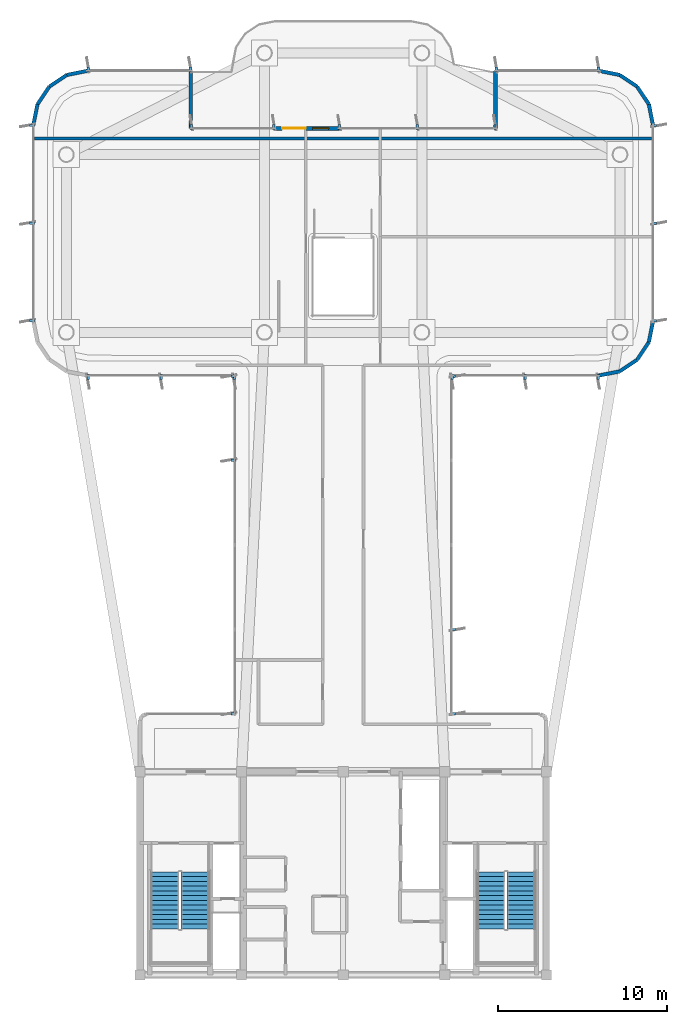
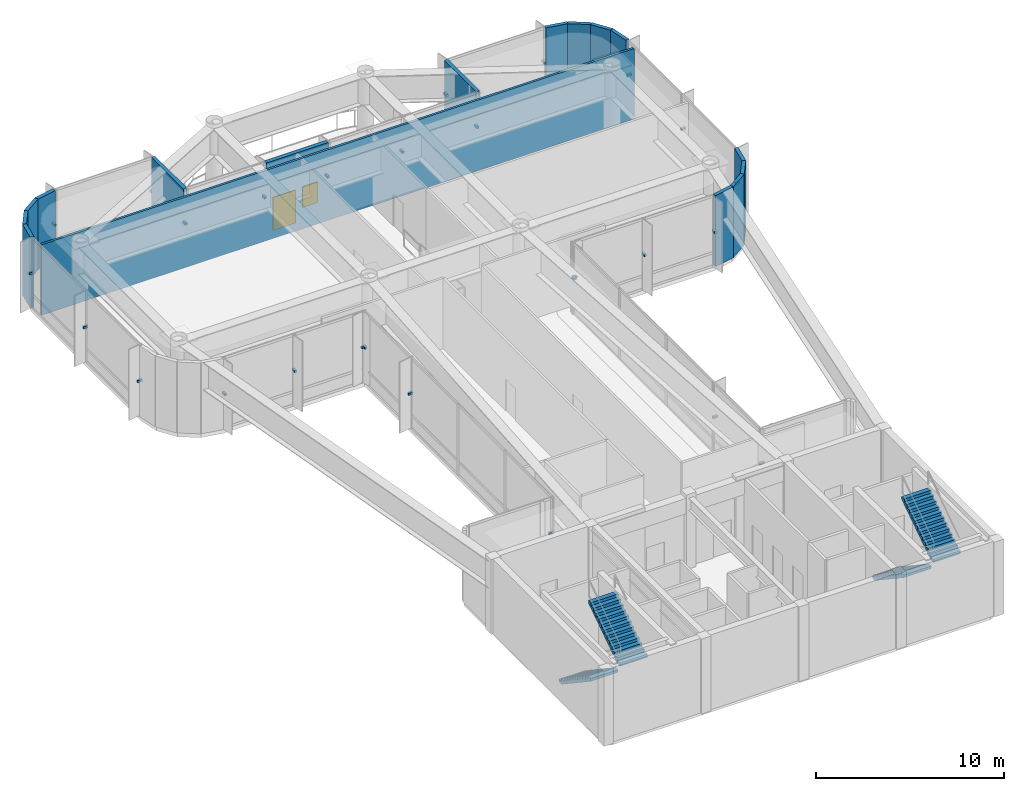
# One storey, part 11 of 13: 27 discrete accessories, 16 walls, 4 stair flights, 1 door, 1 window, 2 openings, 2 elements without a shape of their own.
"""IFC4 building model written with IfcOpenShell, lengths in metres."""

from ifc_helpers import new_model, si_unit, direction, frame, frame_2d, origin, origin_2d, place, context, subcontext, project, spatial, polyline, rectangle, outline, extrude, source, transform, mapped, material, layer, layer_set, type_object, element, fill, aggregate, save


model = new_model("IFC4")

# Units and contexts
model_context = context("Model", 3, precision=1e-05, world=origin(), true_north=direction((0.0, 1.0)))
body_context = subcontext(model_context, "Body", "Model", "MODEL_VIEW")
ifc_project = project(units=[si_unit("LENGTHUNIT", "METRE"), si_unit("AREAUNIT", "SQUARE_METRE"), si_unit("VOLUMEUNIT", "CUBIC_METRE"), si_unit("PLANEANGLEUNIT", "RADIAN"), si_unit("MASSUNIT", "GRAM", prefix="KILO")], contexts=[model_context])

# Site, building, storey
site_placement = place(None, origin())
site = spatial("IfcSite", under=ifc_project, at=site_placement, CompositionType="ELEMENT")
building_placement = place(site_placement, origin())
building = spatial("IfcBuilding", under=site, at=building_placement, Name="Brelvock Crest Care Tower", CompositionType="ELEMENT")
storey_placement = place(building_placement, frame((0.0, 0.0, 291.06005859375)))
storey = spatial("IfcBuildingStorey", under=building, at=storey_placement, Name="L74", CompositionType="ELEMENT", Elevation=291.06005859375)

# Wall, openings, door, window
ifc_material_1 = material(Name="Precast concrete N40 (40 MPa)", Category="concrete")
ifc_layer_1 = layer(ifc_material_1, 0.239990234375, Name="WL-EX1")
ifc_layer_set_1 = layer_set([ifc_layer_1], Name="Precast concrete N40 (40 MPa)")
wall_type_1 = type_object("IfcWallType", Name="WL-EX1", PredefinedType="SOLIDWALL", material=ifc_layer_set_1)
wall_1_placement = place(storey_placement, frame((31.93994140625, 56.0, 0.0), z_axis=(0.0, 0.0, 1.0), x_axis=(1.0, 0.0, 0.0)))
wall_1 = element("IfcWall", 1, at=wall_1_placement, inside=storey, type_object=wall_type_1, Name="L74 Exterior Spandrel Wall WL-TER-L74-37", PredefinedType="SOLIDWALL", context=body_context, shape_type="SweptSolid", body=[
    extrude(rectangle(XDim=3.800048828125, YDim=0.239990234375, at=frame_2d((1.89990234375, 0.0))), origin(), (0.0, 0.0, 1.0), 4.60986328125),
])
opening_1_placement = place(wall_1_placement, frame((0.449951171875, 0.0, 0.0)))
opening_1 = element("IfcOpeningElement", 2, at=opening_1_placement, cuts=wall_1, Name="Opening TD-1", PredefinedType="OPENING", context=body_context, shape_type="SweptSolid", body=[
    extrude(rectangle(XDim=1.39990234375, YDim=2.14990234375, at=origin_2d()), frame((0.699951171875, 0.1298828125, 1.074951171875), z_axis=(0.0, -1.0, 0.0), x_axis=(1.0, 0.0, 0.0)), (0.0, 0.0, 1.0), 0.260009765625),
])
opening_2_placement = place(wall_1_placement, frame((2.25, 0.0, 0.85009765625)))
opening_2 = element("IfcOpeningElement", 3, at=opening_2_placement, cuts=wall_1, Name="Opening W-03", PredefinedType="OPENING", context=body_context, shape_type="SweptSolid", body=[
    extrude(rectangle(XDim=0.949951171875, YDim=1.35009765625, at=origin_2d()), frame((0.47509765625, 0.1298828125, 0.675048828125), z_axis=(0.0, -1.0, 0.0), x_axis=(1.0, 0.0, 0.0)), (0.0, 0.0, 1.0), 0.260009765625),
])
ifc_material_2 = material(Name="Dark Glass Double Glazed Low-E", Category="glass")
door_type = type_object("IfcDoorType", Name="DR-TER1", OperationType="NOTDEFINED", PredefinedType="DOOR", material=ifc_material_2)
shared_shape_1 = source(origin(), body_context, "Body", "SweptSolid", [
    extrude(rectangle(XDim=1.39990234375, YDim=2.14990234375, at=origin_2d()), frame((0.699951171875, 0.02490234375, 1.074951171875), z_axis=(0.0, -1.0, 0.0), x_axis=(1.0, 0.0, 0.0)), (0.0, 0.0, 1.0), 0.050048828125),
])
door_placement = place(opening_1_placement, origin())
door = element("IfcDoor", 4, at=door_placement, inside=storey, type_object=door_type, Name="L74 Setback Terrace Glazed Door", OperationType="SINGLE_SWING_RIGHT", OverallHeight=2.14990234375, OverallWidth=1.39990234375, PredefinedType="DOOR", context=body_context, shape_type="MappedRepresentation", body=[
    mapped(shared_shape_1, transform((0.0, 0.0, 0.0), x_axis=(1.0, 0.0, 0.0), y_axis=(0.0, 1.0, 0.0), z_axis=(0.0, 0.0, 1.0), scale=1.0)),
])
fill(opening_1, door)
window_type = type_object("IfcWindowType", Name="WN-EX3", PartitioningType="SINGLE_PANEL", PredefinedType="WINDOW", material=ifc_material_2)
shared_shape_2 = source(origin(), body_context, "Body", "SweptSolid", [
    extrude(rectangle(XDim=0.949951171875, YDim=1.35009765625, at=origin_2d()), frame((0.47509765625, 0.030029296875, 0.675048828125), z_axis=(0.0, -1.0, 0.0), x_axis=(1.0, 0.0, 0.0)), (0.0, 0.0, 1.0), 0.06005859375),
])
window_placement = place(opening_2_placement, origin())
window = element("IfcWindow", 5, at=window_placement, inside=storey, type_object=window_type, Name="L74 Terrace Side Window", OverallHeight=1.35009765625, OverallWidth=0.949951171875, PartitioningType="SINGLE_PANEL", PredefinedType="WINDOW", context=body_context, shape_type="MappedRepresentation", body=[
    mapped(shared_shape_2, transform((0.0, 0.0, 0.0), x_axis=(1.0, 0.0, 0.0), y_axis=(0.0, 1.0, 0.0), z_axis=(0.0, 0.0, 1.0), scale=1.0)),
])
fill(opening_2, window)

# Walls
ifc_layer_2 = layer(ifc_material_1, 0.215087890625, Name="WL-EX2")
ifc_layer_set_2 = layer_set([ifc_layer_2], Name="Precast concrete N40 (40 MPa)")
wall_type_2 = type_object("IfcWallType", Name="WL-EX2", PredefinedType="SOLIDWALL", material=ifc_layer_set_2)
for number, where, z_axis, x_axis, name in (
    (6, (51.10009765625, 59.39990234375, 0.0), (0.0, 0.0, 1.0), (0.980813122964, -0.194950295773, 0.0), "L74 Rounded Corner Wall 00"),
    (7, (52.32470703125, 59.156494140625, 0.0), (0.0, 0.0, 1.0), (0.831387912822, -0.555692485475, 0.0), "L74 Rounded Corner Wall 01"),
    (8, (53.36279296875, 58.462646484375, 0.0), (0.0, 0.0, 1.0), (0.555557312883, -0.831478245117, 0.0), "L74 Rounded Corner Wall 02"),
    (9, (54.056396484375, 57.424560546875, 0.0), (0.0, 0.0, 1.0), (0.195138390419, -0.980775717779, 0.0), "L74 Rounded Corner Wall 03"),
    (10, (54.300048828125, 44.60009765625, 0.0), (0.0, 0.0, 1.0), (-0.195138390419, -0.980775717779, 0.0), "L74 Rounded Corner Wall 05"),
    (11, (54.056396484375, 43.37548828125, 0.0), (0.0, 0.0, 1.0), (-0.555557312883, -0.831478245117, 0.0), "L74 Rounded Corner Wall 06"),
    (12, (53.36279296875, 42.33740234375, 0.0), (0.0, 0.0, 1.0), (-0.831387912822, -0.555692485475, 0.0), "L74 Rounded Corner Wall 07"),
    (13, (52.32470703125, 41.6435546875, 0.0), (0.0, 0.0, 1.0), (-0.980775717779, -0.195138390419, 0.0), "L74 Rounded Corner Wall 08"),
    (14, (17.699951171875, 56.199951171875, 0.0), (0.0, 0.0, 1.0), (0.195138390419, 0.980775717779, 0.0), "L74 Rounded Corner Wall 31"),
    (15, (17.943603515625, 57.424560546875, 0.0), (0.0, 0.0, 1.0), (0.555557312883, 0.831478245117, 0.0), "L74 Rounded Corner Wall 32"),
    (16, (18.63720703125, 58.462646484375, 0.0), (0.0, 0.0, 1.0), (0.831387912822, 0.555692485475, 0.0), "L74 Rounded Corner Wall 33"),
    (17, (19.67529296875, 59.156494140625, 0.0), (0.0, 0.0, 1.0), (0.980813122964, 0.194950295773, 0.0), "L74 Rounded Corner Wall 34"),
):
    element("IfcWall", number, at=place(storey_placement, frame(where, z_axis=z_axis, x_axis=x_axis)), inside=storey, type_object=wall_type_2, Name=name, PredefinedType="SOLIDWALL", context=body_context, shape_type="SweptSolid", body=[
        extrude(rectangle(XDim=1.24853515625, YDim=0.215087890625, at=frame_2d((0.624267578125, 0.0))), origin(), (0.0, 0.0, 1.0), 4.60986328125),
    ])
for number, where, z_axis, x_axis, name in (
    (18, (27.0, 59.39990234375, 0.0), (0.0, 0.0, 1.0), (0.0, -1.0, 0.0), "L74 Rounded Corner Wall 36"),
    (19, (45.0, 56.0, 0.0), (0.0, 0.0, 1.0), (0.0, 1.0, 0.0), "L74 Rounded Corner Wall 38"),
):
    element("IfcWall", number, at=place(storey_placement, frame(where, z_axis=z_axis, x_axis=x_axis)), inside=storey, type_object=wall_type_2, Name=name, PredefinedType="SOLIDWALL", context=body_context, shape_type="SweptSolid", body=[
        extrude(rectangle(XDim=3.39990234375, YDim=0.215087890625, at=frame_2d((1.699951171875, 0.0))), origin(), (0.0, 0.0, 1.0), 4.60986328125),
    ])
ifc_material_3 = material(Name="Masonry Blockwork Acoustic Partition", Category="masonry")
ifc_layer_3 = layer(ifc_material_3, 0.14990234375, Name="WL-INT1")
ifc_layer_set_3 = layer_set([ifc_layer_3], Name="Masonry Blockwork Acoustic Partition")
wall_type_3 = type_object("IfcWallType", Name="WL-INT1", PredefinedType="PARTITIONING", material=ifc_layer_set_3)
wall_2_placement = place(storey_placement, frame((17.780029296875, 55.39990234375, 0.0), z_axis=(0.0, 0.0, 1.0), x_axis=(1.0, 0.0, 0.0)))
element("IfcWall", 20, at=wall_2_placement, inside=storey, type_object=wall_type_3, Name="L74 Interior Wall WL-BX-L74-OBW-N", PredefinedType="PARTITIONING", context=body_context, shape_type="SweptSolid", body=[
    extrude(rectangle(XDim=36.43994140625, YDim=0.14990234375, at=frame_2d((18.219970703125, 0.0))), origin(), (0.0, 0.0, 1.0), 4.579833984375),
])

# Stair, stair flights
ifc_material_4 = material(Name="Concrete N40 (40 MPa)", Category="concrete")
stair_type = type_object("IfcStairType", Name="ST-CORE1", PredefinedType="HALF_TURN_STAIR", material=ifc_material_4)
stair_1_placement = place(storey_placement, origin())
stair_1 = element("IfcStair", 21, at=stair_1_placement, inside=storey, type_object=stair_type, Name="L74 Fire-Isolated Core Stair ST-1", PredefinedType="HALF_TURN_STAIR")
stair_flight_type = type_object("IfcStairFlightType", Name="STF-1", PredefinedType="STRAIGHT", material=ifc_material_4)
stair_flight_1_placement = place(storey_placement, frame((25.469970703125, 12.080078125, 0.0), z_axis=(0.0, 0.0, 1.0), x_axis=(0.0, -1.0, 0.0)))
stair_flight_1 = element("IfcStairFlight", 22, at=stair_flight_1_placement, type_object=stair_flight_type, Name="ST-1 flight 1", NumberOfRisers=13, NumberOfTreads=12, PredefinedType="STRAIGHT", RiserHeight=0.186923077, TreadLength=0.28, context=body_context, shape_type="SweptSolid", body=[
    extrude(outline(polyline([(-0.00390625, -0.014892578125), (-0.00390625, -0.0078125), (-0.00390625, -0.00048828125), (-0.00390625, 0.006591796875), (-0.00390625, 0.013916015625), (-0.00390625, 0.02099609375), (-0.00390625, 0.0283203125), (-0.00390625, 0.035400390625), (-0.00390625, 0.042724609375), (-0.00390625, 0.0498046875), (-0.00390625, 0.05712890625), (-0.00390625, 0.064208984375), (-0.00390625, 0.071533203125), (-0.00390625, 0.078857421875), (-0.00390625, 0.0859375), (-0.00390625, 0.09326171875), (-0.00390625, 0.100341796875), (-0.00390625, 0.107666015625), (-0.00390625, 0.11474609375), (-0.00390625, 0.1220703125), (-0.00390625, 0.129150390625), (-0.00390625, 0.136474609375), (-0.00390625, 0.1435546875), (-0.00390625, 0.15087890625), (-0.00390625, 0.157958984375), (-0.00390625, 0.165283203125), (-0.00390625, 0.172607421875), (-0.00390625, 0.1796875), (-0.00390625, 0.18701171875), (0.0, 0.18701171875), (0.280029296875, 0.18701171875), (0.280029296875, 0.373779296875), (0.56005859375, 0.373779296875), (0.56005859375, 0.560791015625), (0.840087890625, 0.560791015625), (0.840087890625, 0.747802734375), (1.1201171875, 0.747802734375), (1.1201171875, 0.9345703125), (1.39990234375, 0.9345703125), (1.39990234375, 1.12158203125), (1.679931640625, 1.12158203125), (1.679931640625, 1.308349609375), (1.9599609375, 1.308349609375), (1.9599609375, 1.495361328125), (2.239990234375, 1.495361328125), (2.239990234375, 1.682373046875), (2.52001953125, 1.682373046875), (2.52001953125, 1.869140625), (2.800048828125, 1.869140625), (2.800048828125, 2.05615234375), (3.080078125, 2.05615234375), (3.080078125, 2.2431640625), (3.360107421875, 2.2431640625), (3.364013671875, 2.2431640625), (3.36376953125, 2.24267578125), (3.364013671875, 2.2421875), (3.36376953125, 2.241943359375), (3.364013671875, 2.241455078125), (3.36376953125, 2.2412109375), (3.364013671875, 2.24072265625), (3.36376953125, 2.240234375), (3.364013671875, 2.239990234375), (3.36376953125, 2.239501953125), (3.364013671875, 2.239013671875), (3.36376953125, 2.23876953125), (3.364013671875, 2.23828125), (3.36376953125, 2.238037109375), (3.364013671875, 2.237548828125), (3.36376953125, 2.237060546875), (3.364013671875, 2.23681640625), (3.36376953125, 2.236328125), (3.364013671875, 2.23583984375), (3.36376953125, 2.235595703125), (3.364013671875, 2.235107421875), (3.36376953125, 2.23486328125), (3.364013671875, 2.234375), (3.36376953125, 2.23388671875), (3.364013671875, 2.233642578125), (3.36376953125, 2.233154296875), (3.364013671875, 2.23291015625), (3.36376953125, 2.232421875), (3.364013671875, 2.23193359375), (3.360107421875, 2.062744140625), (0.27001953125, 0.0), (0.0, 0.0), (0.0, -0.014892578125), (-0.00390625, -0.014892578125)])), frame((0.0, 0.83984375, 0.0), z_axis=(0.0, -1.0, 0.0), x_axis=(1.0, 0.0, 0.0)), (0.0, 0.0, 1.0), 1.679931640625),
])
stair_flight_2_placement = place(storey_placement, frame((27.27001953125, 8.719970703125, 2.429931640625), z_axis=(0.0, 0.0, 1.0), x_axis=(0.0, 1.0, 0.0)))
stair_flight_2 = element("IfcStairFlight", 23, at=stair_flight_2_placement, type_object=stair_flight_type, Name="ST-1 flight 2", NumberOfRisers=13, NumberOfTreads=12, PredefinedType="STRAIGHT", RiserHeight=0.186923077, TreadLength=0.28, context=body_context, shape_type="SweptSolid", body=[
    extrude(outline(polyline([(-0.00390625, -0.014892578125), (-0.00390625, -0.0078125), (-0.00390625, -0.00048828125), (-0.00390625, 0.006591796875), (-0.00390625, 0.013916015625), (-0.00390625, 0.02099609375), (-0.00390625, 0.0283203125), (-0.00390625, 0.035400390625), (-0.00390625, 0.042724609375), (-0.00390625, 0.0498046875), (-0.00390625, 0.05712890625), (-0.00390625, 0.064208984375), (-0.00390625, 0.071533203125), (-0.00390625, 0.078857421875), (-0.00390625, 0.0859375), (-0.00390625, 0.09326171875), (-0.00390625, 0.100341796875), (-0.00390625, 0.107666015625), (-0.00390625, 0.11474609375), (-0.00390625, 0.1220703125), (-0.00390625, 0.129150390625), (-0.00390625, 0.136474609375), (-0.00390625, 0.1435546875), (-0.00390625, 0.15087890625), (-0.00390625, 0.157958984375), (-0.00390625, 0.165283203125), (-0.00390625, 0.172607421875), (-0.00390625, 0.1796875), (-0.00390625, 0.18701171875), (0.0, 0.18701171875), (0.280029296875, 0.18701171875), (0.280029296875, 0.373779296875), (0.56005859375, 0.373779296875), (0.56005859375, 0.560791015625), (0.840087890625, 0.560791015625), (0.840087890625, 0.747802734375), (1.1201171875, 0.747802734375), (1.1201171875, 0.9345703125), (1.39990234375, 0.9345703125), (1.39990234375, 1.12158203125), (1.679931640625, 1.12158203125), (1.679931640625, 1.308349609375), (1.9599609375, 1.308349609375), (1.9599609375, 1.495361328125), (2.239990234375, 1.495361328125), (2.239990234375, 1.682373046875), (2.52001953125, 1.682373046875), (2.52001953125, 1.869140625), (2.800048828125, 1.869140625), (2.800048828125, 2.05615234375), (3.080078125, 2.05615234375), (3.080078125, 2.2431640625), (3.360107421875, 2.2431640625), (3.364013671875, 2.2431640625), (3.36376953125, 2.24267578125), (3.364013671875, 2.2421875), (3.36376953125, 2.241943359375), (3.364013671875, 2.241455078125), (3.36376953125, 2.2412109375), (3.364013671875, 2.24072265625), (3.36376953125, 2.240234375), (3.364013671875, 2.239990234375), (3.36376953125, 2.239501953125), (3.364013671875, 2.239013671875), (3.36376953125, 2.23876953125), (3.364013671875, 2.23828125), (3.36376953125, 2.238037109375), (3.364013671875, 2.237548828125), (3.36376953125, 2.237060546875), (3.364013671875, 2.23681640625), (3.36376953125, 2.236328125), (3.364013671875, 2.23583984375), (3.36376953125, 2.235595703125), (3.364013671875, 2.235107421875), (3.36376953125, 2.23486328125), (3.364013671875, 2.234375), (3.36376953125, 2.23388671875), (3.364013671875, 2.233642578125), (3.36376953125, 2.233154296875), (3.364013671875, 2.23291015625), (3.36376953125, 2.232421875), (3.364013671875, 2.23193359375), (3.360107421875, 2.062744140625), (0.27001953125, 0.0), (0.0, 0.0), (0.0, -0.014892578125), (-0.00390625, -0.014892578125)])), frame((0.0, 0.83984375, 0.0), z_axis=(0.0, -1.0, 0.0), x_axis=(1.0, 0.0, 0.0)), (0.0, 0.0, 1.0), 1.679931640625),
])
aggregate(stair_1, [stair_flight_1, stair_flight_2])

stair_2_placement = place(storey_placement, origin())
stair_2 = element("IfcStair", 24, at=stair_2_placement, inside=storey, type_object=stair_type, Name="L74 Fire-Isolated Core Stair ST-2", PredefinedType="HALF_TURN_STAIR")
stair_flight_3_placement = place(storey_placement, frame((44.72998046875, 12.080078125, 0.0), z_axis=(0.0, 0.0, 1.0), x_axis=(0.0, -1.0, 0.0)))
stair_flight_3 = element("IfcStairFlight", 25, at=stair_flight_3_placement, type_object=stair_flight_type, Name="ST-2 flight 1", NumberOfRisers=13, NumberOfTreads=12, PredefinedType="STRAIGHT", RiserHeight=0.186923077, TreadLength=0.28, context=body_context, shape_type="SweptSolid", body=[
    extrude(outline(polyline([(-0.00390625, -0.014892578125), (-0.00390625, -0.0078125), (-0.00390625, -0.00048828125), (-0.00390625, 0.006591796875), (-0.00390625, 0.013916015625), (-0.00390625, 0.02099609375), (-0.00390625, 0.0283203125), (-0.00390625, 0.035400390625), (-0.00390625, 0.042724609375), (-0.00390625, 0.0498046875), (-0.00390625, 0.05712890625), (-0.00390625, 0.064208984375), (-0.00390625, 0.071533203125), (-0.00390625, 0.078857421875), (-0.00390625, 0.0859375), (-0.00390625, 0.09326171875), (-0.00390625, 0.100341796875), (-0.00390625, 0.107666015625), (-0.00390625, 0.11474609375), (-0.00390625, 0.1220703125), (-0.00390625, 0.129150390625), (-0.00390625, 0.136474609375), (-0.00390625, 0.1435546875), (-0.00390625, 0.15087890625), (-0.00390625, 0.157958984375), (-0.00390625, 0.165283203125), (-0.00390625, 0.172607421875), (-0.00390625, 0.1796875), (-0.00390625, 0.18701171875), (0.0, 0.18701171875), (0.280029296875, 0.18701171875), (0.280029296875, 0.373779296875), (0.56005859375, 0.373779296875), (0.56005859375, 0.560791015625), (0.840087890625, 0.560791015625), (0.840087890625, 0.747802734375), (1.1201171875, 0.747802734375), (1.1201171875, 0.9345703125), (1.39990234375, 0.9345703125), (1.39990234375, 1.12158203125), (1.679931640625, 1.12158203125), (1.679931640625, 1.308349609375), (1.9599609375, 1.308349609375), (1.9599609375, 1.495361328125), (2.239990234375, 1.495361328125), (2.239990234375, 1.682373046875), (2.52001953125, 1.682373046875), (2.52001953125, 1.869140625), (2.800048828125, 1.869140625), (2.800048828125, 2.05615234375), (3.080078125, 2.05615234375), (3.080078125, 2.2431640625), (3.360107421875, 2.2431640625), (3.364013671875, 2.2431640625), (3.36376953125, 2.24267578125), (3.364013671875, 2.2421875), (3.36376953125, 2.241943359375), (3.364013671875, 2.241455078125), (3.36376953125, 2.2412109375), (3.364013671875, 2.24072265625), (3.36376953125, 2.240234375), (3.364013671875, 2.239990234375), (3.36376953125, 2.239501953125), (3.364013671875, 2.239013671875), (3.36376953125, 2.23876953125), (3.364013671875, 2.23828125), (3.36376953125, 2.238037109375), (3.364013671875, 2.237548828125), (3.36376953125, 2.237060546875), (3.364013671875, 2.23681640625), (3.36376953125, 2.236328125), (3.364013671875, 2.23583984375), (3.36376953125, 2.235595703125), (3.364013671875, 2.235107421875), (3.36376953125, 2.23486328125), (3.364013671875, 2.234375), (3.36376953125, 2.23388671875), (3.364013671875, 2.233642578125), (3.36376953125, 2.233154296875), (3.364013671875, 2.23291015625), (3.36376953125, 2.232421875), (3.364013671875, 2.23193359375), (3.360107421875, 2.062744140625), (0.27001953125, 0.0), (0.0, 0.0), (0.0, -0.014892578125), (-0.00390625, -0.014892578125)])), frame((0.0, 0.83984375, 0.0), z_axis=(0.0, -1.0, 0.0), x_axis=(1.0, 0.0, 0.0)), (0.0, 0.0, 1.0), 1.679931640625),
])
stair_flight_4_placement = place(storey_placement, frame((46.530029296875, 8.719970703125, 2.429931640625), z_axis=(0.0, 0.0, 1.0), x_axis=(0.0, 1.0, 0.0)))
stair_flight_4 = element("IfcStairFlight", 26, at=stair_flight_4_placement, type_object=stair_flight_type, Name="ST-2 flight 2", NumberOfRisers=13, NumberOfTreads=12, PredefinedType="STRAIGHT", RiserHeight=0.186923077, TreadLength=0.28, context=body_context, shape_type="SweptSolid", body=[
    extrude(outline(polyline([(-0.00390625, -0.014892578125), (-0.00390625, -0.0078125), (-0.00390625, -0.00048828125), (-0.00390625, 0.006591796875), (-0.00390625, 0.013916015625), (-0.00390625, 0.02099609375), (-0.00390625, 0.0283203125), (-0.00390625, 0.035400390625), (-0.00390625, 0.042724609375), (-0.00390625, 0.0498046875), (-0.00390625, 0.05712890625), (-0.00390625, 0.064208984375), (-0.00390625, 0.071533203125), (-0.00390625, 0.078857421875), (-0.00390625, 0.0859375), (-0.00390625, 0.09326171875), (-0.00390625, 0.100341796875), (-0.00390625, 0.107666015625), (-0.00390625, 0.11474609375), (-0.00390625, 0.1220703125), (-0.00390625, 0.129150390625), (-0.00390625, 0.136474609375), (-0.00390625, 0.1435546875), (-0.00390625, 0.15087890625), (-0.00390625, 0.157958984375), (-0.00390625, 0.165283203125), (-0.00390625, 0.172607421875), (-0.00390625, 0.1796875), (-0.00390625, 0.18701171875), (0.0, 0.18701171875), (0.280029296875, 0.18701171875), (0.280029296875, 0.373779296875), (0.56005859375, 0.373779296875), (0.56005859375, 0.560791015625), (0.840087890625, 0.560791015625), (0.840087890625, 0.747802734375), (1.1201171875, 0.747802734375), (1.1201171875, 0.9345703125), (1.39990234375, 0.9345703125), (1.39990234375, 1.12158203125), (1.679931640625, 1.12158203125), (1.679931640625, 1.308349609375), (1.9599609375, 1.308349609375), (1.9599609375, 1.495361328125), (2.239990234375, 1.495361328125), (2.239990234375, 1.682373046875), (2.52001953125, 1.682373046875), (2.52001953125, 1.869140625), (2.800048828125, 1.869140625), (2.800048828125, 2.05615234375), (3.080078125, 2.05615234375), (3.080078125, 2.2431640625), (3.360107421875, 2.2431640625), (3.364013671875, 2.2431640625), (3.36376953125, 2.24267578125), (3.364013671875, 2.2421875), (3.36376953125, 2.241943359375), (3.364013671875, 2.241455078125), (3.36376953125, 2.2412109375), (3.364013671875, 2.24072265625), (3.36376953125, 2.240234375), (3.364013671875, 2.239990234375), (3.36376953125, 2.239501953125), (3.364013671875, 2.239013671875), (3.36376953125, 2.23876953125), (3.364013671875, 2.23828125), (3.36376953125, 2.238037109375), (3.364013671875, 2.237548828125), (3.36376953125, 2.237060546875), (3.364013671875, 2.23681640625), (3.36376953125, 2.236328125), (3.364013671875, 2.23583984375), (3.36376953125, 2.235595703125), (3.364013671875, 2.235107421875), (3.36376953125, 2.23486328125), (3.364013671875, 2.234375), (3.36376953125, 2.23388671875), (3.364013671875, 2.233642578125), (3.36376953125, 2.233154296875), (3.364013671875, 2.23291015625), (3.36376953125, 2.232421875), (3.364013671875, 2.23193359375), (3.360107421875, 2.062744140625), (0.27001953125, 0.0), (0.0, 0.0), (0.0, -0.014892578125), (-0.00390625, -0.014892578125)])), frame((0.0, 0.83984375, 0.0), z_axis=(0.0, -1.0, 0.0), x_axis=(1.0, 0.0, 0.0)), (0.0, 0.0, 1.0), 1.679931640625),
])
aggregate(stair_2, [stair_flight_3, stair_flight_4])

# Discrete accessories
ifc_material_5 = material(Name="Steel Grade 350", Category="steel")
discrete_accessory_type = type_object("IfcDiscreteAccessoryType", Name="ACC-BRK1", PredefinedType="BRACKET", material=ifc_material_5)
shared_shape_3 = source(origin(), body_context, "Body", "SweptSolid", [
    extrude(rectangle(XDim=0.280029296875, YDim=0.139892578125, at=origin_2d()), origin(), (0.0, 0.0, 1.0), 0.139892578125),
])
for number, where, z_axis, x_axis, name in (
    (27, (54.3798828125, 56.16748046875, 2.23486328125), (0.0, 0.0, 1.0), (1.0, 0.0, 0.0), "L74 Facade Fin Bracket E04-01"),
    (28, (54.3798828125, 50.39990234375, 2.23486328125), (0.0, 0.0, 1.0), (1.0, 0.0, 0.0), "L74 Facade Fin Bracket E04-02"),
    (29, (54.3798828125, 44.632568359375, 2.23486328125), (0.0, 0.0, 1.0), (1.0, 0.0, 0.0), "L74 Facade Fin Bracket E04-03"),
    (30, (51.0673828125, 41.320068359375, 2.23486328125), (0.0, 0.0, 1.0), (0.0, -1.0, 0.0), "L74 Facade Fin Bracket E09-01"),
    (31, (46.75, 41.320068359375, 2.23486328125), (0.0, 0.0, 1.0), (0.0, -1.0, 0.0), "L74 Facade Fin Bracket E09-02"),
    (32, (42.4326171875, 41.320068359375, 2.23486328125), (0.0, 0.0, 1.0), (0.0, -1.0, 0.0), "L74 Facade Fin Bracket E09-03"),
    (33, (42.47998046875, 41.367431640625, 2.23486328125), (0.0, 0.0, 1.0), (1.0, 0.0, 0.0), "L74 Facade Fin Bracket E10-01"),
    (34, (42.47998046875, 26.39990234375, 2.23486328125), (0.0, 0.0, 1.0), (1.0, 0.0, 0.0), "L74 Facade Fin Bracket E10-04"),
    (35, (42.47998046875, 21.4326171875, 2.23486328125), (0.0, 0.0, 1.0), (1.0, 0.0, 0.0), "L74 Facade Fin Bracket E10-05"),
    (36, (29.52001953125, 21.4326171875, 2.23486328125), (0.0, 0.0, 1.0), (-1.0, 0.0, 0.0), "L74 Facade Fin Bracket E24-01"),
    (37, (29.52001953125, 36.39990234375, 2.23486328125), (0.0, 0.0, 1.0), (-1.0, 0.0, 0.0), "L74 Facade Fin Bracket E24-04"),
    (38, (29.52001953125, 41.367431640625, 2.23486328125), (0.0, 0.0, 1.0), (-1.0, 0.0, 0.0), "L74 Facade Fin Bracket E24-05"),
    (39, (29.5673828125, 41.320068359375, 2.23486328125), (0.0, 0.0, 1.0), (0.0, -1.0, 0.0), "L74 Facade Fin Bracket E25-01"),
    (40, (25.25, 41.320068359375, 2.23486328125), (0.0, 0.0, 1.0), (0.0, -1.0, 0.0), "L74 Facade Fin Bracket E25-02"),
    (41, (20.9326171875, 41.320068359375, 2.23486328125), (0.0, 0.0, 1.0), (0.0, -1.0, 0.0), "L74 Facade Fin Bracket E25-03"),
    (42, (17.6201171875, 44.632568359375, 2.23486328125), (0.0, 0.0, 1.0), (-1.0, 0.0, 0.0), "L74 Facade Fin Bracket E30-01"),
    (43, (17.6201171875, 50.39990234375, 2.23486328125), (0.0, 0.0, 1.0), (-1.0, 0.0, 0.0), "L74 Facade Fin Bracket E30-02"),
    (44, (17.6201171875, 56.16748046875, 2.23486328125), (0.0, 0.0, 1.0), (-1.0, 0.0, 0.0), "L74 Facade Fin Bracket E30-03"),
    (45, (20.9326171875, 59.47998046875, 2.23486328125), (0.0, 0.0, 1.0), (0.0, 1.0, 0.0), "L74 Facade Fin Bracket E35-01"),
    (46, (26.967529296875, 59.47998046875, 2.23486328125), (0.0, 0.0, 1.0), (0.0, 1.0, 0.0), "L74 Facade Fin Bracket E35-02"),
    (47, (27.032470703125, 56.080078125, 2.23486328125), (0.0, 0.0, 1.0), (0.0, 1.0, 0.0), "L74 Facade Fin Bracket E37A-01"),
    (48, (31.907470703125, 56.080078125, 2.23486328125), (0.0, 0.0, 1.0), (0.0, 1.0, 0.0), "L74 Facade Fin Bracket E37A-02"),
    (49, (35.7724609375, 56.080078125, 2.23486328125), (0.0, 0.0, 1.0), (0.0, 1.0, 0.0), "L74 Facade Fin Bracket E37B-01"),
    (50, (40.3701171875, 56.080078125, 2.23486328125), (0.0, 0.0, 1.0), (0.0, 1.0, 0.0), "L74 Facade Fin Bracket E37B-02"),
    (51, (44.967529296875, 56.080078125, 2.23486328125), (0.0, 0.0, 1.0), (0.0, 1.0, 0.0), "L74 Facade Fin Bracket E37B-03"),
    (52, (45.032470703125, 59.47998046875, 2.23486328125), (0.0, 0.0, 1.0), (0.0, 1.0, 0.0), "L74 Facade Fin Bracket E39-01"),
    (53, (51.0673828125, 59.47998046875, 2.23486328125), (0.0, 0.0, 1.0), (0.0, 1.0, 0.0), "L74 Facade Fin Bracket E39-02"),
):
    element("IfcDiscreteAccessory", number, at=place(storey_placement, frame(where, z_axis=z_axis, x_axis=x_axis)), inside=storey, type_object=discrete_accessory_type, Name=name, PredefinedType="BRACKET", context=body_context, shape_type="MappedRepresentation", body=[
        mapped(shared_shape_3, transform((0.0, 0.0, 0.0), x_axis=(1.0, 0.0, 0.0), y_axis=(0.0, 1.0, 0.0), z_axis=(0.0, 0.0, 1.0), scale=1.0)),
    ])

save(model, "model.ifc")
